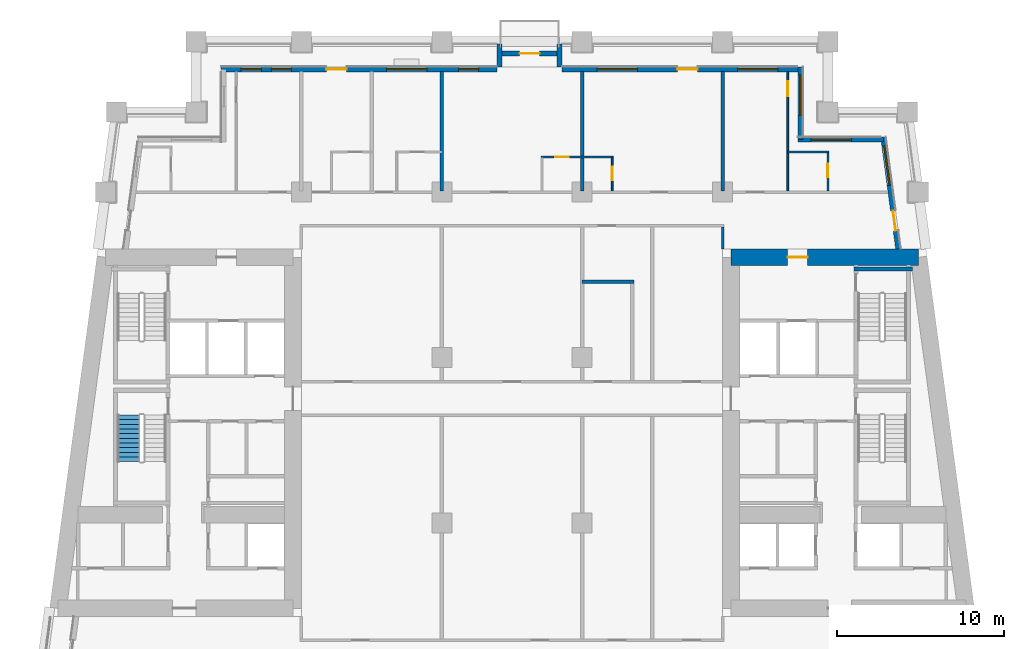
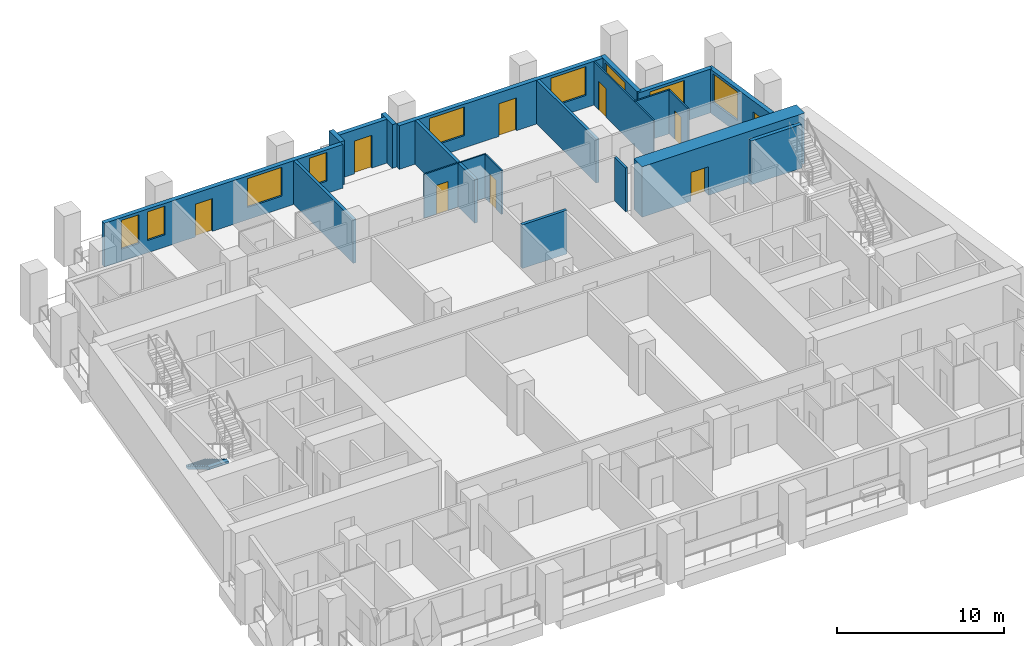
# One storey, part 7 of 13: 20 walls, 9 doors, 9 windows, 1 stair flight, 18 openings, 1 element without a shape of its own.
"""IFC4 building model written with IfcOpenShell, lengths in metres."""

from ifc_helpers import new_model, si_unit, direction, frame, frame_2d, origin, place, context, subcontext, project, spatial, polyline, rectangle, outline, extrude, material, layer, layer_set, type_object, element, fill, aggregate, save


model = new_model("IFC4")

# Units and contexts
model_context = context("Model", 3, precision=1e-05, world=origin(), true_north=direction((0.0, 1.0)))
body_context = subcontext(model_context, "Body", "Model", "MODEL_VIEW")
ifc_project = project(units=[si_unit("LENGTHUNIT", "METRE"), si_unit("AREAUNIT", "SQUARE_METRE"), si_unit("VOLUMEUNIT", "CUBIC_METRE"), si_unit("PLANEANGLEUNIT", "RADIAN"), si_unit("MASSUNIT", "GRAM", prefix="KILO")], contexts=[model_context])

# Site, building, storey
site_placement = place(None, origin())
site = spatial("IfcSite", under=ifc_project, at=site_placement, CompositionType="ELEMENT")
building_placement = place(site_placement, origin())
building = spatial("IfcBuilding", under=site, at=building_placement, Name="Candeia Pilgrim Tower and Theatre", CompositionType="ELEMENT")
storey_placement = place(building_placement, frame((0.0, 0.0, 131.699951171875)))
storey = spatial("IfcBuildingStorey", under=building, at=storey_placement, Name="L31", CompositionType="ELEMENT", Elevation=131.699951171875)

# Wall, opening, door
ifc_material_1 = material(Name="Concrete C70/85", Category="concrete")
ifc_layer_1 = layer(ifc_material_1, 1.0)
ifc_layer_set_1 = layer_set([ifc_layer_1], Name="Core wall 1000 C70/85")
wall_type_1 = type_object("IfcWallType", Name="Core wall 1000 C70/85", PredefinedType="SHEAR", material=ifc_layer_set_1)
wall_1_placement = place(storey_placement, frame((126.5, 131.89990234375, 0.0), z_axis=(0.0, 0.0, 1.0), x_axis=(1.0, 0.0, 0.0)))
wall_1 = element("IfcWall", 1, at=wall_1_placement, inside=storey, type_object=wall_type_1, Name="Core wall E1", PredefinedType="SHEAR", context=body_context, shape_type="SweptSolid", body=[
    extrude(rectangle(XDim=11.23193359375, YDim=1.0, at=frame_2d((5.615966796875, 0.0))), origin(), (0.0, 0.0, 1.0), 3.699951171875),
])
opening_1_placement = place(wall_1_placement, frame((3.386474609375, 0.0, 0.0)))
opening_1 = element("IfcOpeningElement", 2, at=opening_1_placement, cuts=wall_1, Name="Opening L31-D062", PredefinedType="OPENING", context=body_context, shape_type="SweptSolid", body=[
    extrude(rectangle(XDim=1.199951171875, YDim=2.10009765625, at=frame_2d((0.60009765625, 1.050048828125))), frame((0.0, 0.510009765625, 0.0), z_axis=(0.0, -1.0, 0.0), x_axis=(1.0, 0.0, 0.0)), (0.0, 0.0, 1.0), 1.02001953125),
])
ifc_material_2 = material(Name="Steel fire door set", Category="steel")
door_type_1 = type_object("IfcDoorType", Name="D-1200-FD60", OperationType="NOTDEFINED", PredefinedType="DOOR", material=ifc_material_2)
door_1_placement = place(opening_1_placement, origin())
door_1 = element("IfcDoor", 3, at=door_1_placement, inside=storey, type_object=door_type_1, Name="Door L31-D062", OperationType="SINGLE_SWING_LEFT", OverallHeight=2.10009765625, OverallWidth=1.199951171875, PredefinedType="DOOR", context=body_context, shape_type="SweptSolid", body=[
    extrude(rectangle(XDim=1.199951171875, YDim=2.10009765625, at=frame_2d((0.60009765625, 1.050048828125))), frame((0.0, 0.02490234375, 0.0), z_axis=(0.0, -1.0, 0.0), x_axis=(1.0, 0.0, 0.0)), (0.0, 0.0, 1.0), 0.050048828125),
])
fill(opening_1, door_1)

# Wall, openings, door, window
ifc_material_3 = material(Name="Ceramic block masonry", Category="masonry")
ifc_layer_2 = layer(ifc_material_3, 0.300048828125)
ifc_layer_set_2 = layer_set([ifc_layer_2], Name="EW1 glazing-line wall 300")
wall_type_2 = type_object("IfcWallType", Name="EW1 glazing-line wall 300", PredefinedType="SOLIDWALL", material=ifc_layer_set_2)
wall_2_placement = place(storey_placement, frame((136.50439453125, 132.39990234375, 0.0), z_axis=(0.0, 0.0, 1.0), x_axis=(-0.133399697462, 0.99106231929, 0.0)))
wall_2 = element("IfcWall", 4, at=wall_2_placement, inside=storey, type_object=wall_type_2, Name="External wall L31-3.1", PredefinedType="SOLIDWALL", context=body_context, shape_type="SweptSolid", body=[
    extrude(rectangle(XDim=6.740478515625, YDim=0.300048828125, at=frame_2d((3.3701171875, 0.0))), origin(), (0.0, 0.0, 1.0), 3.199951171875),
])
opening_2_placement = place(wall_2_placement, frame((1.115234375, 0.0, 0.0)))
opening_2 = element("IfcOpeningElement", 5, at=opening_2_placement, cuts=wall_2, Name="Opening L31-ED312", PredefinedType="OPENING", context=body_context, shape_type="SweptSolid", body=[
    extrude(rectangle(XDim=1.199951171875, YDim=2.39990234375, at=frame_2d((0.60009765625, 1.199951171875))), frame((0.0, 0.16015625, 0.0), z_axis=(0.0, -1.0, 0.0), x_axis=(1.0, 0.0, 0.0)), (0.0, 0.0, 1.0), 0.320068359375),
])
opening_3_placement = place(wall_2_placement, frame((3.83544921875, 0.0, 0.89990234375)))
opening_3 = element("IfcOpeningElement", 6, at=opening_3_placement, cuts=wall_2, Name="Opening W-A", PredefinedType="OPENING", context=body_context, shape_type="SweptSolid", body=[
    extrude(rectangle(XDim=2.39990234375, YDim=2.10009765625, at=frame_2d((1.199951171875, 1.050048828125))), frame((0.0, 0.16015625, 0.0), z_axis=(0.0, -1.0, 0.0), x_axis=(1.0, 0.0, 0.0)), (0.0, 0.0, 1.0), 0.320068359375),
])
ifc_material_4 = material(Name="Aluminium framed glazed door", Category="aluminium")
door_type_2 = type_object("IfcDoorType", Name="Loggia door 1200x2400", OperationType="DOUBLE_DOOR_SINGLE_SWING", PredefinedType="DOOR", material=ifc_material_4)
door_2_placement = place(opening_2_placement, origin())
door_2 = element("IfcDoor", 7, at=door_2_placement, inside=storey, type_object=door_type_2, Name="Loggia door L31-ED312", OperationType="DOUBLE_DOOR_SINGLE_SWING", OverallHeight=2.39990234375, OverallWidth=1.199951171875, PredefinedType="DOOR", context=body_context, shape_type="SweptSolid", body=[
    extrude(rectangle(XDim=1.199951171875, YDim=2.39990234375, at=frame_2d((0.60009765625, 1.199951171875))), frame((0.0, 0.02490234375, 0.0), z_axis=(0.0, -1.0, 0.0), x_axis=(1.0, 0.0, 0.0)), (0.0, 0.0, 1.0), 0.050048828125),
])
fill(opening_2, door_2)
ifc_material_5 = material(Name="Aluminium framed double glazing", Category="aluminium")
window_type_1 = type_object("IfcWindowType", Name="W-A window 2400x2100", PartitioningType="DOUBLE_PANEL_VERTICAL", PredefinedType="WINDOW", material=ifc_material_5)
window_1_placement = place(opening_3_placement, origin())
window_1 = element("IfcWindow", 8, at=window_1_placement, inside=storey, type_object=window_type_1, Name="Window W-A L31", OverallHeight=2.10009765625, OverallWidth=2.39990234375, PartitioningType="SINGLE_PANEL", PredefinedType="WINDOW", context=body_context, shape_type="SweptSolid", body=[
    extrude(rectangle(XDim=2.39990234375, YDim=2.10009765625, at=frame_2d((1.199951171875, 1.050048828125))), frame((0.0, 0.030029296875, 0.0), z_axis=(0.0, -1.0, 0.0), x_axis=(1.0, 0.0, 0.0)), (0.0, 0.0, 1.0), 0.06005859375),
])
fill(opening_3, window_1)

# Wall, opening, window
wall_3_placement = place(storey_placement, frame((135.62255859375, 138.949951171875, 0.0), z_axis=(0.0, 0.0, 1.0), x_axis=(-1.0, 0.0, 0.0)))
wall_3 = element("IfcWall", 9, at=wall_3_placement, inside=storey, type_object=wall_type_2, Name="External wall L31-4.0", PredefinedType="SOLIDWALL", context=body_context, shape_type="SweptSolid", body=[
    extrude(rectangle(XDim=5.12255859375, YDim=0.300048828125, at=frame_2d((2.561279296875, 0.0))), origin(), (0.0, 0.0, 1.0), 3.199951171875),
])
opening_4_placement = place(wall_3_placement, frame((1.922607421875, 0.0, 0.89990234375)))
opening_4 = element("IfcOpeningElement", 10, at=opening_4_placement, cuts=wall_3, Name="Opening W-A", PredefinedType="OPENING", context=body_context, shape_type="SweptSolid", body=[
    extrude(rectangle(XDim=2.39990234375, YDim=2.10009765625, at=frame_2d((1.199951171875, 1.050048828125))), frame((0.0, 0.16015625, 0.0), z_axis=(0.0, -1.0, 0.0), x_axis=(1.0, 0.0, 0.0)), (0.0, 0.0, 1.0), 0.320068359375),
])
window_2_placement = place(opening_4_placement, origin())
window_2 = element("IfcWindow", 11, at=window_2_placement, inside=storey, type_object=window_type_1, Name="Window W-A L31", OverallHeight=2.10009765625, OverallWidth=2.39990234375, PartitioningType="SINGLE_PANEL", PredefinedType="WINDOW", context=body_context, shape_type="SweptSolid", body=[
    extrude(rectangle(XDim=2.39990234375, YDim=2.10009765625, at=frame_2d((1.199951171875, 1.050048828125))), frame((0.0, 0.030029296875, 0.0), z_axis=(0.0, -1.0, 0.0), x_axis=(1.0, 0.0, 0.0)), (0.0, 0.0, 1.0), 0.06005859375),
])
fill(opening_4, window_2)

wall_4_placement = place(storey_placement, frame((130.64990234375, 138.949951171875, 0.0), z_axis=(0.0, 0.0, 1.0), x_axis=(0.0, 1.0, 0.0)))
wall_4 = element("IfcWall", 12, at=wall_4_placement, inside=storey, type_object=wall_type_2, Name="External wall L31-5.0", PredefinedType="SOLIDWALL", context=body_context, shape_type="SweptSolid", body=[
    extrude(rectangle(XDim=4.35009765625, YDim=0.300048828125, at=frame_2d((2.175048828125, 0.0))), origin(), (0.0, 0.0, 1.0), 3.199951171875),
])
opening_5_placement = place(wall_4_placement, frame((1.449951171875, 0.0, 0.89990234375)))
opening_5 = element("IfcOpeningElement", 13, at=opening_5_placement, cuts=wall_4, Name="Opening W-A", PredefinedType="OPENING", context=body_context, shape_type="SweptSolid", body=[
    extrude(rectangle(XDim=2.39990234375, YDim=2.10009765625, at=frame_2d((1.199951171875, 1.050048828125))), frame((0.0, 0.16015625, 0.0), z_axis=(0.0, -1.0, 0.0), x_axis=(1.0, 0.0, 0.0)), (0.0, 0.0, 1.0), 0.320068359375),
])
window_3_placement = place(opening_5_placement, origin())
window_3 = element("IfcWindow", 14, at=window_3_placement, inside=storey, type_object=window_type_1, Name="Window W-A L31", OverallHeight=2.10009765625, OverallWidth=2.39990234375, PartitioningType="SINGLE_PANEL", PredefinedType="WINDOW", context=body_context, shape_type="SweptSolid", body=[
    extrude(rectangle(XDim=2.39990234375, YDim=2.10009765625, at=frame_2d((1.199951171875, 1.050048828125))), frame((0.0, 0.030029296875, 0.0), z_axis=(0.0, -1.0, 0.0), x_axis=(1.0, 0.0, 0.0)), (0.0, 0.0, 1.0), 0.06005859375),
])
fill(opening_5, window_3)

# Wall, openings, door, windows
wall_5_placement = place(storey_placement, frame((130.64990234375, 143.14990234375, 0.0), z_axis=(0.0, 0.0, 1.0), x_axis=(-1.0, 0.0, 0.0)))
wall_5 = element("IfcWall", 15, at=wall_5_placement, inside=storey, type_object=wall_type_2, Name="External wall L31-6.0", PredefinedType="SOLIDWALL", context=body_context, shape_type="SweptSolid", body=[
    extrude(rectangle(XDim=14.25, YDim=0.300048828125, at=frame_2d((7.125, 0.0))), origin(), (0.0, 0.0, 1.0), 3.199951171875),
])
opening_6_placement = place(wall_5_placement, frame((1.35009765625, 0.0, 0.89990234375)))
opening_6 = element("IfcOpeningElement", 16, at=opening_6_placement, cuts=wall_5, Name="Opening W-A", PredefinedType="OPENING", context=body_context, shape_type="SweptSolid", body=[
    extrude(rectangle(XDim=2.39990234375, YDim=2.10009765625, at=frame_2d((1.199951171875, 1.050048828125))), frame((0.0, 0.16015625, 0.0), z_axis=(0.0, -1.0, 0.0), x_axis=(1.0, 0.0, 0.0)), (0.0, 0.0, 1.0), 0.320068359375),
])
opening_7_placement = place(wall_5_placement, frame((6.14990234375, 0.0, 0.0)))
opening_7 = element("IfcOpeningElement", 17, at=opening_7_placement, cuts=wall_5, Name="Opening L31-ED313", PredefinedType="OPENING", context=body_context, shape_type="SweptSolid", body=[
    extrude(rectangle(XDim=1.199951171875, YDim=2.39990234375, at=frame_2d((0.60009765625, 1.199951171875))), frame((0.0, 0.16015625, 0.0), z_axis=(0.0, -1.0, 0.0), x_axis=(1.0, 0.0, 0.0)), (0.0, 0.0, 1.0), 0.320068359375),
])
opening_8_placement = place(wall_5_placement, frame((9.75, 0.0, 0.89990234375)))
opening_8 = element("IfcOpeningElement", 18, at=opening_8_placement, cuts=wall_5, Name="Opening W-A", PredefinedType="OPENING", context=body_context, shape_type="SweptSolid", body=[
    extrude(rectangle(XDim=2.39990234375, YDim=2.10009765625, at=frame_2d((1.199951171875, 1.050048828125))), frame((0.0, 0.16015625, 0.0), z_axis=(0.0, -1.0, 0.0), x_axis=(1.0, 0.0, 0.0)), (0.0, 0.0, 1.0), 0.320068359375),
])
door_3_placement = place(opening_7_placement, origin())
door_3 = element("IfcDoor", 19, at=door_3_placement, inside=storey, type_object=door_type_2, Name="Loggia door L31-ED313", OperationType="DOUBLE_DOOR_SINGLE_SWING", OverallHeight=2.39990234375, OverallWidth=1.199951171875, PredefinedType="DOOR", context=body_context, shape_type="SweptSolid", body=[
    extrude(rectangle(XDim=1.199951171875, YDim=2.39990234375, at=frame_2d((0.60009765625, 1.199951171875))), frame((0.0, 0.02490234375, 0.0), z_axis=(0.0, -1.0, 0.0), x_axis=(1.0, 0.0, 0.0)), (0.0, 0.0, 1.0), 0.050048828125),
])
fill(opening_7, door_3)
window_4_placement = place(opening_6_placement, origin())
window_4 = element("IfcWindow", 20, at=window_4_placement, inside=storey, type_object=window_type_1, Name="Window W-A L31", OverallHeight=2.10009765625, OverallWidth=2.39990234375, PartitioningType="SINGLE_PANEL", PredefinedType="WINDOW", context=body_context, shape_type="SweptSolid", body=[
    extrude(rectangle(XDim=2.39990234375, YDim=2.10009765625, at=frame_2d((1.199951171875, 1.050048828125))), frame((0.0, 0.030029296875, 0.0), z_axis=(0.0, -1.0, 0.0), x_axis=(1.0, 0.0, 0.0)), (0.0, 0.0, 1.0), 0.06005859375),
])
fill(opening_6, window_4)
window_5_placement = place(opening_8_placement, origin())
window_5 = element("IfcWindow", 21, at=window_5_placement, inside=storey, type_object=window_type_1, Name="Window W-A L31", OverallHeight=2.10009765625, OverallWidth=2.39990234375, PartitioningType="SINGLE_PANEL", PredefinedType="WINDOW", context=body_context, shape_type="SweptSolid", body=[
    extrude(rectangle(XDim=2.39990234375, YDim=2.10009765625, at=frame_2d((1.199951171875, 1.050048828125))), frame((0.0, 0.030029296875, 0.0), z_axis=(0.0, -1.0, 0.0), x_axis=(1.0, 0.0, 0.0)), (0.0, 0.0, 1.0), 0.06005859375),
])
fill(opening_8, window_5)

wall_6_placement = place(storey_placement, frame((112.5, 143.14990234375, 0.0), z_axis=(0.0, 0.0, 1.0), x_axis=(-1.0, 0.0, 0.0)))
wall_6 = element("IfcWall", 22, at=wall_6_placement, inside=storey, type_object=wall_type_2, Name="External wall L31-6.1", PredefinedType="SOLIDWALL", context=body_context, shape_type="SweptSolid", body=[
    extrude(rectangle(XDim=16.5, YDim=0.300048828125, at=frame_2d((8.25, 0.0))), origin(), (0.0, 0.0, 1.0), 3.199951171875),
])
opening_9_placement = place(wall_6_placement, frame((1.10009765625, 0.0, 0.89990234375)))
opening_9 = element("IfcOpeningElement", 23, at=opening_9_placement, cuts=wall_6, Name="Opening W-B", PredefinedType="OPENING", context=body_context, shape_type="SweptSolid", body=[
    extrude(rectangle(XDim=1.199951171875, YDim=2.10009765625, at=frame_2d((0.60009765625, 1.050048828125))), frame((0.0, 0.16015625, 0.0), z_axis=(0.0, -1.0, 0.0), x_axis=(1.0, 0.0, 0.0)), (0.0, 0.0, 1.0), 0.320068359375),
])
opening_10_placement = place(wall_6_placement, frame((4.199951171875, 0.0, 0.89990234375)))
opening_10 = element("IfcOpeningElement", 24, at=opening_10_placement, cuts=wall_6, Name="Opening W-A", PredefinedType="OPENING", context=body_context, shape_type="SweptSolid", body=[
    extrude(rectangle(XDim=2.39990234375, YDim=2.10009765625, at=frame_2d((1.199951171875, 1.050048828125))), frame((0.0, 0.16015625, 0.0), z_axis=(0.0, -1.0, 0.0), x_axis=(1.0, 0.0, 0.0)), (0.0, 0.0, 1.0), 0.320068359375),
])
opening_11_placement = place(wall_6_placement, frame((9.0, 0.0, 0.0)))
opening_11 = element("IfcOpeningElement", 25, at=opening_11_placement, cuts=wall_6, Name="Opening L31-ED314", PredefinedType="OPENING", context=body_context, shape_type="SweptSolid", body=[
    extrude(rectangle(XDim=1.199951171875, YDim=2.39990234375, at=frame_2d((0.60009765625, 1.199951171875))), frame((0.0, 0.16015625, 0.0), z_axis=(0.0, -1.0, 0.0), x_axis=(1.0, 0.0, 0.0)), (0.0, 0.0, 1.0), 0.320068359375),
])
opening_12_placement = place(wall_6_placement, frame((12.300048828125, 0.0, 0.89990234375)))
opening_12 = element("IfcOpeningElement", 26, at=opening_12_placement, cuts=wall_6, Name="Opening W-B", PredefinedType="OPENING", context=body_context, shape_type="SweptSolid", body=[
    extrude(rectangle(XDim=1.199951171875, YDim=2.10009765625, at=frame_2d((0.60009765625, 1.050048828125))), frame((0.0, 0.16015625, 0.0), z_axis=(0.0, -1.0, 0.0), x_axis=(1.0, 0.0, 0.0)), (0.0, 0.0, 1.0), 0.320068359375),
])
opening_13_placement = place(wall_6_placement, frame((14.10009765625, 0.0, 0.89990234375)))
opening_13 = element("IfcOpeningElement", 27, at=opening_13_placement, cuts=wall_6, Name="Opening W-B", PredefinedType="OPENING", context=body_context, shape_type="SweptSolid", body=[
    extrude(rectangle(XDim=1.199951171875, YDim=2.10009765625, at=frame_2d((0.60009765625, 1.050048828125))), frame((0.0, 0.16015625, 0.0), z_axis=(0.0, -1.0, 0.0), x_axis=(1.0, 0.0, 0.0)), (0.0, 0.0, 1.0), 0.320068359375),
])
door_4_placement = place(opening_11_placement, origin())
door_4 = element("IfcDoor", 28, at=door_4_placement, inside=storey, type_object=door_type_2, Name="Loggia door L31-ED314", OperationType="DOUBLE_DOOR_SINGLE_SWING", OverallHeight=2.39990234375, OverallWidth=1.199951171875, PredefinedType="DOOR", context=body_context, shape_type="SweptSolid", body=[
    extrude(rectangle(XDim=1.199951171875, YDim=2.39990234375, at=frame_2d((0.60009765625, 1.199951171875))), frame((0.0, 0.02490234375, 0.0), z_axis=(0.0, -1.0, 0.0), x_axis=(1.0, 0.0, 0.0)), (0.0, 0.0, 1.0), 0.050048828125),
])
fill(opening_11, door_4)
window_6_placement = place(opening_10_placement, origin())
window_6 = element("IfcWindow", 29, at=window_6_placement, inside=storey, type_object=window_type_1, Name="Window W-A L31", OverallHeight=2.10009765625, OverallWidth=2.39990234375, PartitioningType="SINGLE_PANEL", PredefinedType="WINDOW", context=body_context, shape_type="SweptSolid", body=[
    extrude(rectangle(XDim=2.39990234375, YDim=2.10009765625, at=frame_2d((1.199951171875, 1.050048828125))), frame((0.0, 0.030029296875, 0.0), z_axis=(0.0, -1.0, 0.0), x_axis=(1.0, 0.0, 0.0)), (0.0, 0.0, 1.0), 0.06005859375),
])
fill(opening_10, window_6)
window_type_2 = type_object("IfcWindowType", Name="W-B window 1200x2100", PartitioningType="SINGLE_PANEL", PredefinedType="WINDOW", material=ifc_material_5)
window_7_placement = place(opening_9_placement, origin())
window_7 = element("IfcWindow", 30, at=window_7_placement, inside=storey, type_object=window_type_2, Name="Window W-B L31", OverallHeight=2.10009765625, OverallWidth=1.199951171875, PartitioningType="SINGLE_PANEL", PredefinedType="WINDOW", context=body_context, shape_type="SweptSolid", body=[
    extrude(rectangle(XDim=1.199951171875, YDim=2.10009765625, at=frame_2d((0.60009765625, 1.050048828125))), frame((0.0, 0.030029296875, 0.0), z_axis=(0.0, -1.0, 0.0), x_axis=(1.0, 0.0, 0.0)), (0.0, 0.0, 1.0), 0.06005859375),
])
fill(opening_9, window_7)
window_8_placement = place(opening_12_placement, origin())
window_8 = element("IfcWindow", 31, at=window_8_placement, inside=storey, type_object=window_type_2, Name="Window W-B L31", OverallHeight=2.10009765625, OverallWidth=1.199951171875, PartitioningType="SINGLE_PANEL", PredefinedType="WINDOW", context=body_context, shape_type="SweptSolid", body=[
    extrude(rectangle(XDim=1.199951171875, YDim=2.10009765625, at=frame_2d((0.60009765625, 1.050048828125))), frame((0.0, 0.030029296875, 0.0), z_axis=(0.0, -1.0, 0.0), x_axis=(1.0, 0.0, 0.0)), (0.0, 0.0, 1.0), 0.06005859375),
])
fill(opening_12, window_8)
window_9_placement = place(opening_13_placement, origin())
window_9 = element("IfcWindow", 32, at=window_9_placement, inside=storey, type_object=window_type_2, Name="Window W-B L31", OverallHeight=2.10009765625, OverallWidth=1.199951171875, PartitioningType="SINGLE_PANEL", PredefinedType="WINDOW", context=body_context, shape_type="SweptSolid", body=[
    extrude(rectangle(XDim=1.199951171875, YDim=2.10009765625, at=frame_2d((0.60009765625, 1.050048828125))), frame((0.0, 0.030029296875, 0.0), z_axis=(0.0, -1.0, 0.0), x_axis=(1.0, 0.0, 0.0)), (0.0, 0.0, 1.0), 0.06005859375),
])
fill(opening_13, window_9)

# Walls
ifc_layer_3 = layer(ifc_material_3, 0.300048828125)
ifc_layer_set_3 = layer_set([ifc_layer_3], Name="EW2 entrance infill wall 300")
wall_type_3 = type_object("IfcWallType", Name="EW2 entrance infill wall 300", PredefinedType="SOLIDWALL", material=ifc_layer_set_3)
for number, where, z_axis, x_axis, name in (
    (33, (116.25, 143.300048828125, 0.0), (0.0, 0.0, 1.0), (0.0, 1.0, 0.0), "Alcove wall L31"),
    (34, (112.64990234375, 143.300048828125, 0.0), (0.0, 0.0, 1.0), (0.0, 1.0, 0.0), "Alcove wall L31"),
):
    element("IfcWall", number, at=place(storey_placement, frame(where, z_axis=z_axis, x_axis=x_axis)), inside=storey, type_object=wall_type_3, Name=name, PredefinedType="SOLIDWALL", context=body_context, shape_type="SweptSolid", body=[
        extrude(rectangle(XDim=1.349853515625, YDim=0.300048828125, at=frame_2d((0.6748046875, 0.0))), origin(), (0.0, 0.0, 1.0), 3.199951171875),
    ])

# Wall, opening, door
wall_7_placement = place(storey_placement, frame((116.39990234375, 144.10009765625, 0.0), z_axis=(0.0, 0.0, 1.0), x_axis=(-1.0, 0.0, 0.0)))
wall_7 = element("IfcWall", 35, at=wall_7_placement, inside=storey, type_object=wall_type_3, Name="Alcove wall L31", PredefinedType="SOLIDWALL", context=body_context, shape_type="SweptSolid", body=[
    extrude(rectangle(XDim=3.89990234375, YDim=0.300048828125, at=frame_2d((1.949951171875, 0.0))), origin(), (0.0, 0.0, 1.0), 3.199951171875),
])
opening_14_placement = place(wall_7_placement, frame((1.35009765625, 0.0, 0.0)))
opening_14 = element("IfcOpeningElement", 36, at=opening_14_placement, cuts=wall_7, Name="Opening L31-ED315", PredefinedType="OPENING", context=body_context, shape_type="SweptSolid", body=[
    extrude(rectangle(XDim=1.199951171875, YDim=2.39990234375, at=frame_2d((0.60009765625, 1.199951171875))), frame((0.0, 0.16015625, 0.0), z_axis=(0.0, -1.0, 0.0), x_axis=(1.0, 0.0, 0.0)), (0.0, 0.0, 1.0), 0.320068359375),
])
door_5_placement = place(opening_14_placement, origin())
door_5 = element("IfcDoor", 37, at=door_5_placement, inside=storey, type_object=door_type_2, Name="Balcony door L31-ED315", OperationType="DOUBLE_DOOR_SINGLE_SWING", OverallHeight=2.39990234375, OverallWidth=1.199951171875, PredefinedType="DOOR", context=body_context, shape_type="SweptSolid", body=[
    extrude(rectangle(XDim=1.199951171875, YDim=2.39990234375, at=frame_2d((0.60009765625, 1.199951171875))), frame((0.0, 0.02490234375, 0.0), z_axis=(0.0, -1.0, 0.0), x_axis=(1.0, 0.0, 0.0)), (0.0, 0.0, 1.0), 0.050048828125),
])
fill(opening_14, door_5)

ifc_material_6 = material(Name="Gypsum board partition on steel studs", Category="steel")
ifc_layer_4 = layer(ifc_material_6, 0.10009765625)
ifc_layer_set_4 = layer_set([ifc_layer_4], Name="PW-100 room partition")
wall_type_4 = type_object("IfcWallType", Name="PW-100 room partition", PredefinedType="PARTITIONING", material=ifc_layer_set_4)
wall_8_placement = place(storey_placement, frame((115.14990234375, 137.89990234375, 0.0), z_axis=(0.0, 0.0, 1.0), x_axis=(1.0, 0.0, 0.0)))
wall_8 = element("IfcWall", 38, at=wall_8_placement, inside=storey, type_object=wall_type_4, Name="Room partition L31-044", PredefinedType="PARTITIONING", context=body_context, shape_type="SweptSolid", body=[
    extrude(rectangle(XDim=4.300048828125, YDim=0.10009765625, at=frame_2d((2.14990234375, 0.0))), origin(), (0.0, 0.0, 1.0), 3.199951171875),
])
opening_15_placement = place(wall_8_placement, frame((0.85009765625, 0.0, 0.0)))
opening_15 = element("IfcOpeningElement", 39, at=opening_15_placement, cuts=wall_8, Name="Opening L31-D043", PredefinedType="OPENING", context=body_context, shape_type="SweptSolid", body=[
    extrude(rectangle(XDim=0.800048828125, YDim=2.10009765625, at=frame_2d((0.39990234375, 1.050048828125))), frame((0.0, 0.06005859375, 0.0), z_axis=(0.0, -1.0, 0.0), x_axis=(1.0, 0.0, 0.0)), (0.0, 0.0, 1.0), 0.1201171875),
])
ifc_material_7 = material(Name="Timber door leaf", Category="wood")
door_type_3 = type_object("IfcDoorType", Name="D-800", OperationType="NOTDEFINED", PredefinedType="DOOR", material=ifc_material_7)
door_6_placement = place(opening_15_placement, origin())
door_6 = element("IfcDoor", 40, at=door_6_placement, inside=storey, type_object=door_type_3, Name="Door L31-D043", OperationType="SINGLE_SWING_RIGHT", OverallHeight=2.10009765625, OverallWidth=0.800048828125, PredefinedType="DOOR", context=body_context, shape_type="SweptSolid", body=[
    extrude(rectangle(XDim=0.800048828125, YDim=2.10009765625, at=frame_2d((0.39990234375, 1.050048828125))), frame((0.0, 0.02490234375, 0.0), z_axis=(0.0, -1.0, 0.0), x_axis=(1.0, 0.0, 0.0)), (0.0, 0.0, 1.0), 0.050048828125),
])
fill(opening_15, door_6)

# Wall
wall_9_placement = place(storey_placement, frame((129.89990234375, 138.199951171875, 0.0), z_axis=(0.0, 0.0, 1.0), x_axis=(1.0, 0.0, 0.0)))
element("IfcWall", 41, at=wall_9_placement, inside=storey, type_object=wall_type_4, Name="Room partition L31-047", PredefinedType="PARTITIONING", context=body_context, shape_type="SweptSolid", body=[
    extrude(rectangle(XDim=2.4501953125, YDim=0.10009765625, at=frame_2d((1.22509765625, 0.0))), origin(), (0.0, 0.0, 1.0), 3.199951171875),
])

# Wall, opening, door
wall_10_placement = place(storey_placement, frame((119.39990234375, 135.875, 0.0), z_axis=(0.0, 0.0, 1.0), x_axis=(0.0, 1.0, 0.0)))
wall_10 = element("IfcWall", 42, at=wall_10_placement, inside=storey, type_object=wall_type_4, Name="Room partition L31-090", PredefinedType="PARTITIONING", context=body_context, shape_type="SweptSolid", body=[
    extrude(rectangle(XDim=1.97509765625, YDim=0.10009765625, at=frame_2d((0.987548828125, 0.0))), origin(), (0.0, 0.0, 1.0), 3.199951171875),
])
opening_16_placement = place(wall_10_placement, frame((0.635009765625, 0.0, 0.0)))
opening_16 = element("IfcOpeningElement", 43, at=opening_16_placement, cuts=wall_10, Name="Opening L31-D045", PredefinedType="OPENING", context=body_context, shape_type="SweptSolid", body=[
    extrude(rectangle(XDim=0.800048828125, YDim=2.10009765625, at=frame_2d((0.39990234375, 1.050048828125))), frame((0.0, 0.06005859375, 0.0), z_axis=(0.0, -1.0, 0.0), x_axis=(1.0, 0.0, 0.0)), (0.0, 0.0, 1.0), 0.1201171875),
])
door_7_placement = place(opening_16_placement, origin())
door_7 = element("IfcDoor", 44, at=door_7_placement, inside=storey, type_object=door_type_3, Name="Door L31-D045", OperationType="SINGLE_SWING_RIGHT", OverallHeight=2.10009765625, OverallWidth=0.800048828125, PredefinedType="DOOR", context=body_context, shape_type="SweptSolid", body=[
    extrude(rectangle(XDim=0.800048828125, YDim=2.10009765625, at=frame_2d((0.39990234375, 1.050048828125))), frame((0.0, 0.02490234375, 0.0), z_axis=(0.0, -1.0, 0.0), x_axis=(1.0, 0.0, 0.0)), (0.0, 0.0, 1.0), 0.050048828125),
])
fill(opening_16, door_7)

wall_11_placement = place(storey_placement, frame((129.89990234375, 135.875, 0.0), z_axis=(0.0, 0.0, 1.0), x_axis=(0.0, 1.0, 0.0)))
wall_11 = element("IfcWall", 45, at=wall_11_placement, inside=storey, type_object=wall_type_4, Name="Room partition L31-104", PredefinedType="PARTITIONING", context=body_context, shape_type="SweptSolid", body=[
    extrude(rectangle(XDim=7.135009765625, YDim=0.10009765625, at=frame_2d((3.5673828125, 0.0))), origin(), (0.0, 0.0, 1.0), 3.199951171875),
])
opening_17_placement = place(wall_11_placement, frame((5.64990234375, 0.0, 0.0)))
opening_17 = element("IfcOpeningElement", 46, at=opening_17_placement, cuts=wall_11, Name="Opening L31-D047", PredefinedType="OPENING", context=body_context, shape_type="SweptSolid", body=[
    extrude(rectangle(XDim=0.89990234375, YDim=2.10009765625, at=frame_2d((0.449951171875, 1.050048828125))), frame((0.0, 0.06005859375, 0.0), z_axis=(0.0, -1.0, 0.0), x_axis=(1.0, 0.0, 0.0)), (0.0, 0.0, 1.0), 0.1201171875),
])
door_type_4 = type_object("IfcDoorType", Name="D-900", OperationType="NOTDEFINED", PredefinedType="DOOR", material=ifc_material_7)
door_8_placement = place(opening_17_placement, origin())
door_8 = element("IfcDoor", 47, at=door_8_placement, inside=storey, type_object=door_type_4, Name="Door L31-D047", OperationType="SINGLE_SWING_RIGHT", OverallHeight=2.10009765625, OverallWidth=0.89990234375, PredefinedType="DOOR", context=body_context, shape_type="SweptSolid", body=[
    extrude(rectangle(XDim=0.89990234375, YDim=2.10009765625, at=frame_2d((0.449951171875, 1.050048828125))), frame((0.0, 0.02490234375, 0.0), z_axis=(0.0, -1.0, 0.0), x_axis=(1.0, 0.0, 0.0)), (0.0, 0.0, 1.0), 0.050048828125),
])
fill(opening_17, door_8)

wall_12_placement = place(storey_placement, frame((132.300048828125, 135.875, 0.0), z_axis=(0.0, 0.0, 1.0), x_axis=(0.0, 1.0, 0.0)))
wall_12 = element("IfcWall", 48, at=wall_12_placement, inside=storey, type_object=wall_type_4, Name="Room partition L31-110", PredefinedType="PARTITIONING", context=body_context, shape_type="SweptSolid", body=[
    extrude(rectangle(XDim=2.27490234375, YDim=0.10009765625, at=frame_2d((1.137451171875, 0.0))), origin(), (0.0, 0.0, 1.0), 3.199951171875),
])
opening_18_placement = place(wall_12_placement, frame((0.81494140625, 0.0, 0.0)))
opening_18 = element("IfcOpeningElement", 49, at=opening_18_placement, cuts=wall_12, Name="Opening L31-D048", PredefinedType="OPENING", context=body_context, shape_type="SweptSolid", body=[
    extrude(rectangle(XDim=0.800048828125, YDim=2.10009765625, at=frame_2d((0.39990234375, 1.050048828125))), frame((0.0, 0.06005859375, 0.0), z_axis=(0.0, -1.0, 0.0), x_axis=(1.0, 0.0, 0.0)), (0.0, 0.0, 1.0), 0.1201171875),
])
door_9_placement = place(opening_18_placement, origin())
door_9 = element("IfcDoor", 50, at=door_9_placement, inside=storey, type_object=door_type_3, Name="Door L31-D048", OperationType="SINGLE_SWING_LEFT", OverallHeight=2.10009765625, OverallWidth=0.800048828125, PredefinedType="DOOR", context=body_context, shape_type="SweptSolid", body=[
    extrude(rectangle(XDim=0.800048828125, YDim=2.10009765625, at=frame_2d((0.39990234375, 1.050048828125))), frame((0.0, 0.02490234375, 0.0), z_axis=(0.0, -1.0, 0.0), x_axis=(1.0, 0.0, 0.0)), (0.0, 0.0, 1.0), 0.050048828125),
])
fill(opening_18, door_9)

# Walls
ifc_layer_5 = layer(ifc_material_6, 0.14990234375)
ifc_layer_set_5 = layer_set([ifc_layer_5], Name="PW-150 unit wall")
wall_type_5 = type_object("IfcWallType", Name="PW-150 unit wall", PredefinedType="PARTITIONING", material=ifc_layer_set_5)
wall_13_placement = place(storey_placement, frame((126.0, 132.39990234375, 0.0), z_axis=(0.0, 0.0, 1.0), x_axis=(0.0, 1.0, 0.0)))
element("IfcWall", 51, at=wall_13_placement, inside=storey, type_object=wall_type_5, Name="Unit wall L31-099", PredefinedType="PARTITIONING", context=body_context, shape_type="SweptSolid", body=[
    extrude(rectangle(XDim=1.3251953125, YDim=0.14990234375, at=frame_2d((0.66259765625, 0.0))), origin(), (0.0, 0.0, 1.0), 3.199951171875),
])
ifc_layer_6 = layer(ifc_material_6, 0.199951171875)
ifc_layer_set_6 = layer_set([ifc_layer_6], Name="PW-200 party wall")
wall_type_6 = type_object("IfcWallType", Name="PW-200 party wall", PredefinedType="PARTITIONING", material=ifc_layer_set_6)
wall_14_placement = place(storey_placement, frame((117.60009765625, 130.449951171875, 0.0), z_axis=(0.0, 0.0, 1.0), x_axis=(1.0, 0.0, 0.0)))
element("IfcWall", 52, at=wall_14_placement, inside=storey, type_object=wall_type_6, Name="Party wall L31-039", PredefinedType="PARTITIONING", context=body_context, shape_type="SweptSolid", body=[
    extrude(rectangle(XDim=3.099853515625, YDim=0.199951171875, at=frame_2d((1.5498046875, 0.0))), origin(), (0.0, 0.0, 1.0), 3.199951171875),
])
for number, where, z_axis, x_axis, name in (
    (53, (109.199951171875, 135.875, 0.0), (0.0, 0.0, 1.0), (0.0, 1.0, 0.0), "Party wall L31-082"),
    (54, (117.60009765625, 135.875, 0.0), (0.0, 0.0, 1.0), (0.0, 1.0, 0.0), "Party wall L31-089"),
    (55, (126.0, 135.875, 0.0), (0.0, 0.0, 1.0), (0.0, 1.0, 0.0), "Party wall L31-097"),
):
    element("IfcWall", number, at=place(storey_placement, frame(where, z_axis=z_axis, x_axis=x_axis)), inside=storey, type_object=wall_type_6, Name=name, PredefinedType="PARTITIONING", context=body_context, shape_type="SweptSolid", body=[
        extrude(rectangle(XDim=7.135009765625, YDim=0.199951171875, at=frame_2d((3.5673828125, 0.0))), origin(), (0.0, 0.0, 1.0), 3.199951171875),
    ])
ifc_material_8 = material(Name="Concrete C40/50", Category="concrete")
ifc_layer_7 = layer(ifc_material_8, 0.25)
ifc_layer_set_7 = layer_set([ifc_layer_7], Name="SW-250 stair wall")
wall_type_7 = type_object("IfcWallType", Name="SW-250 stair wall", PredefinedType="PARTITIONING", material=ifc_layer_set_7)
wall_15_placement = place(storey_placement, frame((133.847900390625, 131.199951171875, 0.0), z_axis=(0.0, 0.0, 1.0), x_axis=(1.0, 0.0, 0.0)))
element("IfcWall", 56, at=wall_15_placement, inside=storey, type_object=wall_type_7, Name="Stair wall L31-041", PredefinedType="PARTITIONING", context=body_context, shape_type="SweptSolid", body=[
    extrude(rectangle(XDim=3.50390625, YDim=0.25, at=frame_2d((1.751953125, 0.0))), origin(), (0.0, 0.0, 1.0), 3.199951171875),
])

# Stair, stair flight
stair_type = type_object("IfcStairType", Name="ST-TWR dog-leg escape stair", PredefinedType="HALF_TURN_STAIR", material=ifc_material_8)
stair_placement = place(storey_placement, origin())
stair = element("IfcStair", 57, at=stair_placement, inside=storey, type_object=stair_type, Name="L31 Escape stair ST1", PredefinedType="HALF_TURN_STAIR")
stair_flight_type = type_object("IfcStairFlightType", Name="SFL-RC stair flight", PredefinedType="STRAIGHT", material=ifc_material_8)
stair_flight_placement = place(storey_placement, frame((90.47705078125, 122.47509765625, 0.0), z_axis=(0.0, 0.0, 1.0), x_axis=(0.0, -1.0, 0.0)))
stair_flight = element("IfcStairFlight", 58, at=stair_flight_placement, type_object=stair_flight_type, Name="ST1 flight 1", NumberOfRisers=11, NumberOfTreads=10, PredefinedType="STRAIGHT", RiserHeight=0.168181818, TreadLength=0.28, context=body_context, shape_type="SweptSolid", body=[
    extrude(outline(polyline([(0.0, 0.0), (0.0, 0.168212890625), (0.280029296875, 0.168212890625), (0.280029296875, 0.33642578125), (0.56005859375, 0.33642578125), (0.56005859375, 0.504638671875), (0.840087890625, 0.504638671875), (0.840087890625, 0.672607421875), (1.1201171875, 0.672607421875), (1.1201171875, 0.8408203125), (1.39990234375, 0.8408203125), (1.39990234375, 1.009033203125), (1.679931640625, 1.009033203125), (1.679931640625, 1.17724609375), (1.9599609375, 1.17724609375), (1.9599609375, 1.345458984375), (2.239990234375, 1.345458984375), (2.239990234375, 1.513671875), (2.52001953125, 1.513671875), (2.52001953125, 1.681884765625), (2.800048828125, 1.681884765625), (2.800048828125, 1.85009765625), (2.800048828125, 1.5068359375), (0.291015625, 0.0), (0.0, 0.0)])), frame((0.0, 0.675048828125, 0.0), z_axis=(0.0, -1.0, 0.0), x_axis=(1.0, 0.0, 0.0)), (0.0, 0.0, 1.0), 1.35009765625),
])
aggregate(stair, [stair_flight])

save(model, "model.ifc")
